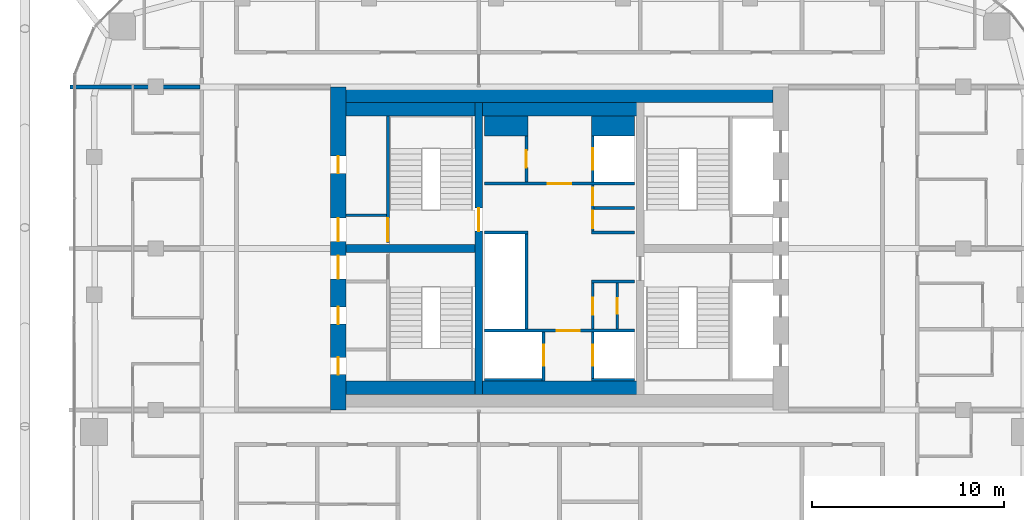
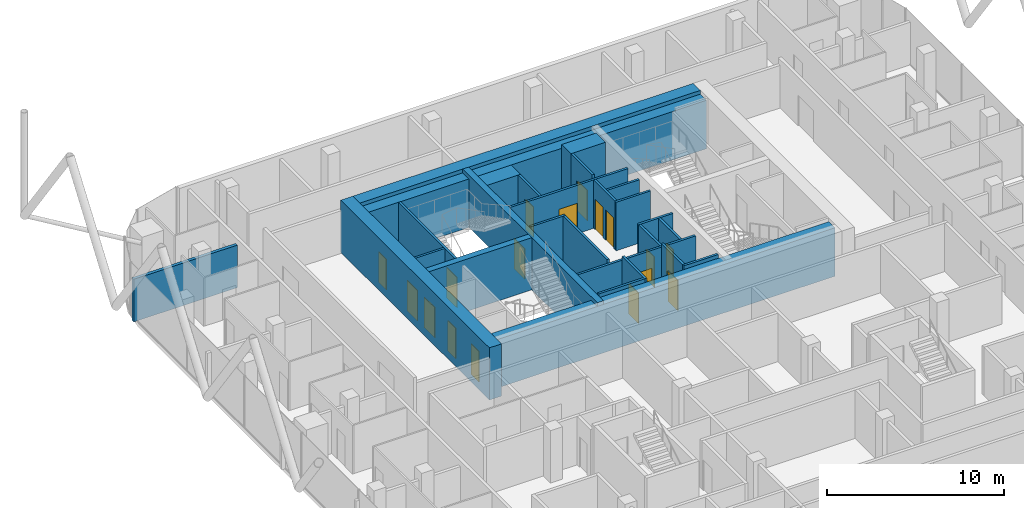
# One storey, part 24 of 28: 27 walls, 17 doors, 17 openings.
"""IFC4 building model written with IfcOpenShell, lengths in metres."""

from ifc_helpers import new_model, si_unit, direction, frame, frame_2d, origin, place, context, subcontext, project, spatial, rectangle, extrude, material, layer, layer_set, type_object, element, fill, save


model = new_model("IFC4")

# Units and contexts
model_context = context("Model", 3, precision=1e-05, world=origin(), true_north=direction((0.0, 1.0)))
body_context = subcontext(model_context, "Body", "Model", "MODEL_VIEW")
ifc_project = project(units=[si_unit("LENGTHUNIT", "METRE"), si_unit("AREAUNIT", "SQUARE_METRE"), si_unit("VOLUMEUNIT", "CUBIC_METRE"), si_unit("PLANEANGLEUNIT", "RADIAN"), si_unit("MASSUNIT", "GRAM", prefix="KILO")], contexts=[model_context])

# Site, building, storey
site_placement = place(None, origin())
site = spatial("IfcSite", under=ifc_project, at=site_placement, CompositionType="ELEMENT")
building_placement = place(site_placement, origin())
building = spatial("IfcBuilding", under=site, at=building_placement, Name="Marenta Gate Hotel Tower", CompositionType="ELEMENT")
storey_placement = place(building_placement, frame((0.0, 0.0, 241.699951171875)))
storey = spatial("IfcBuildingStorey", under=building, at=storey_placement, Name="L57", CompositionType="ELEMENT", Elevation=241.699951171875)

# Walls
ifc_material_1 = material(Name="Concrete C40", Category="concrete")
ifc_layer_1 = layer(ifc_material_1, 0.699951171875)
ifc_layer_set_1 = layer_set([ifc_layer_1], Name="Concrete C40")
wall_type_1 = type_object("IfcWallType", Name="Core lining wall 700 REI 180", PredefinedType="PARTITIONING", material=ifc_layer_set_1)
for number, where, z_axis, x_axis, name in (
    (1, (-11.10009765625, 1.14990234375, 0.0), (0.0, 0.0, 1.0), (1.0, 0.0, 0.0), "L57-CP-LN-S"),
    (2, (-11.10009765625, 15.64990234375, 0.0), (0.0, 0.0, 1.0), (1.0, 0.0, 0.0), "L57-CP-LN-N"),
):
    element("IfcWall", number, at=place(storey_placement, frame(where, z_axis=z_axis, x_axis=x_axis)), inside=storey, type_object=wall_type_1, Name=name, PredefinedType="PARTITIONING", context=body_context, shape_type="SweptSolid", body=[
        extrude(rectangle(XDim=22.2001953125, YDim=0.699951171875, at=frame_2d((11.10009765625, 0.0))), origin(), (0.0, 0.0, 1.0), 3.340087890625),
    ])

# Wall, opening, door
ifc_material_2 = material(Name="Concrete blockwork", Category="masonry")
ifc_layer_2 = layer(ifc_material_2, 0.14990234375)
ifc_layer_set_2 = layer_set([ifc_layer_2], Name="Concrete blockwork")
wall_type_2 = type_object("IfcWallType", Name="Core lobby partition 150 REI 180", PredefinedType="PARTITIONING", material=ifc_layer_set_2)
wall_1_placement = place(storey_placement, frame((-3.89990234375, 4.125, 0.0), z_axis=(0.0, 0.0, 1.0), x_axis=(1.0, 0.0, 0.0)))
wall_1 = element("IfcWall", 3, at=wall_1_placement, inside=storey, type_object=wall_type_2, Name="L57-CP-CW-S", PredefinedType="PARTITIONING", context=body_context, shape_type="SweptSolid", body=[
    extrude(rectangle(XDim=7.7998046875, YDim=0.14990234375, at=frame_2d((3.89990234375, 0.0))), origin(), (0.0, 0.0, 1.0), 3.340087890625),
])
opening_1_placement = place(wall_1_placement, frame((3.75, 0.0, 0.0)))
opening_1 = element("IfcOpeningElement", 4, at=opening_1_placement, cuts=wall_1, Name="Opening FD-FFS", PredefinedType="OPENING", context=body_context, shape_type="SweptSolid", body=[
    extrude(rectangle(XDim=1.199951171875, YDim=2.10009765625, at=frame_2d((0.60009765625, 1.050048828125))), frame((0.0, 0.074951171875, 0.0), z_axis=(0.0, -1.0, 0.0), x_axis=(1.0, 0.0, 0.0)), (0.0, 0.0, 1.0), 0.14990234375),
])
ifc_material_3 = material(Name="Steel", Category="steel")
door_type_1 = type_object("IfcDoorType", Name="Core lobby door 1200x2100 FD60", OperationType="SINGLE_SWING_LEFT", PredefinedType="DOOR", material=ifc_material_3)
door_1_placement = place(opening_1_placement, origin())
door_1 = element("IfcDoor", 5, at=door_1_placement, inside=storey, type_object=door_type_1, Name="FD-FFS", OperationType="SINGLE_SWING_LEFT", OverallHeight=2.10009765625, OverallWidth=1.199951171875, PredefinedType="DOOR", context=body_context, shape_type="SweptSolid", body=[
    extrude(rectangle(XDim=1.199951171875, YDim=2.10009765625, at=frame_2d((0.60009765625, 1.050048828125))), frame((0.0, 0.02490234375, 0.0), z_axis=(0.0, -1.0, 0.0), x_axis=(1.0, 0.0, 0.0)), (0.0, 0.0, 1.0), 0.050048828125),
])
fill(opening_1, door_1)

wall_2_placement = place(storey_placement, frame((-3.89990234375, 11.77490234375, 0.0), z_axis=(0.0, 0.0, 1.0), x_axis=(1.0, 0.0, 0.0)))
wall_2 = element("IfcWall", 6, at=wall_2_placement, inside=storey, type_object=wall_type_2, Name="L57-CP-CW-N", PredefinedType="PARTITIONING", context=body_context, shape_type="SweptSolid", body=[
    extrude(rectangle(XDim=7.7998046875, YDim=0.14990234375, at=frame_2d((3.89990234375, 0.0))), origin(), (0.0, 0.0, 1.0), 3.340087890625),
])
opening_2_placement = place(wall_2_placement, frame((3.300048828125, 0.0, 0.0)))
opening_2 = element("IfcOpeningElement", 7, at=opening_2_placement, cuts=wall_2, Name="Opening FD-FFN", PredefinedType="OPENING", context=body_context, shape_type="SweptSolid", body=[
    extrude(rectangle(XDim=1.199951171875, YDim=2.10009765625, at=frame_2d((0.60009765625, 1.050048828125))), frame((0.0, 0.074951171875, 0.0), z_axis=(0.0, -1.0, 0.0), x_axis=(1.0, 0.0, 0.0)), (0.0, 0.0, 1.0), 0.14990234375),
])
door_2_placement = place(opening_2_placement, origin())
door_2 = element("IfcDoor", 8, at=door_2_placement, inside=storey, type_object=door_type_1, Name="FD-FFN", OperationType="SINGLE_SWING_LEFT", OverallHeight=2.10009765625, OverallWidth=1.199951171875, PredefinedType="DOOR", context=body_context, shape_type="SweptSolid", body=[
    extrude(rectangle(XDim=1.199951171875, YDim=2.10009765625, at=frame_2d((0.60009765625, 1.050048828125))), frame((0.0, 0.02490234375, 0.0), z_axis=(0.0, -1.0, 0.0), x_axis=(1.0, 0.0, 0.0)), (0.0, 0.0, 1.0), 0.050048828125),
])
fill(opening_2, door_2)

# Walls
ifc_material_4 = material(Name="Concrete blockwork", Category="masonry")
ifc_layer_3 = layer(ifc_material_4, 1.050048828125)
ifc_layer_set_3 = layer_set([ifc_layer_3], Name="Concrete blockwork")
wall_type_3 = type_object("IfcWallType", Name="Core room partition 1050 REI 180", PredefinedType="PARTITIONING", material=ifc_layer_set_3)
wall_3_placement = place(storey_placement, frame((-3.89990234375, 14.77490234375, 0.0), z_axis=(0.0, 0.0, 1.0), x_axis=(1.0, 0.0, 0.0)))
element("IfcWall", 9, at=wall_3_placement, inside=storey, type_object=wall_type_3, Name="L57-CP-CW-W-riser-N", PredefinedType="PARTITIONING", context=body_context, shape_type="SweptSolid", body=[
    extrude(rectangle(XDim=2.25, YDim=1.050048828125, at=frame_2d((1.125, 0.0))), origin(), (0.0, 0.0, 1.0), 3.340087890625),
])
ifc_material_5 = material(Name="Concrete blockwork", Category="masonry")
ifc_layer_4 = layer(ifc_material_5, 0.14990234375)
ifc_layer_set_4 = layer_set([ifc_layer_4], Name="Concrete blockwork")
wall_type_4 = type_object("IfcWallType", Name="Core room partition 150 REI 180", PredefinedType="PARTITIONING", material=ifc_layer_set_4)
wall_4_placement = place(storey_placement, frame((-11.10009765625, 10.125, 0.0), z_axis=(0.0, 0.0, 1.0), x_axis=(1.0, 0.0, 0.0)))
element("IfcWall", 10, at=wall_4_placement, inside=storey, type_object=wall_type_4, Name="L57-CP-SW-WN-2", PredefinedType="PARTITIONING", context=body_context, shape_type="SweptSolid", body=[
    extrude(rectangle(XDim=2.10009765625, YDim=0.14990234375, at=frame_2d((1.050048828125, 0.0))), origin(), (0.0, 0.0, 1.0), 3.340087890625),
])

# Wall, opening, door
wall_5_placement = place(storey_placement, frame((-1.72509765625, 11.85009765625, 0.0), z_axis=(0.0, 0.0, 1.0), x_axis=(0.0, 1.0, 0.0)))
wall_5 = element("IfcWall", 11, at=wall_5_placement, inside=storey, type_object=wall_type_4, Name="L57-CP-CW-W-riser-front", PredefinedType="PARTITIONING", context=body_context, shape_type="SweptSolid", body=[
    extrude(rectangle(XDim=2.39990234375, YDim=0.14990234375, at=frame_2d((1.199951171875, 0.0))), origin(), (0.0, 0.0, 1.0), 3.340087890625),
])
opening_3_placement = place(wall_5_placement, frame((0.75, 0.0, 0.0)))
opening_3 = element("IfcOpeningElement", 12, at=opening_3_placement, cuts=wall_5, Name="Opening RD-CRISER", PredefinedType="OPENING", context=body_context, shape_type="SweptSolid", body=[
    extrude(rectangle(XDim=0.89990234375, YDim=2.10009765625, at=frame_2d((0.449951171875, 1.050048828125))), frame((0.0, 0.074951171875, 0.0), z_axis=(0.0, -1.0, 0.0), x_axis=(1.0, 0.0, 0.0)), (0.0, 0.0, 1.0), 0.14990234375),
])
ifc_material_6 = material(Name="Steel", Category="steel")
door_type_2 = type_object("IfcDoorType", Name="Core riser door 900x2100 FD60", OperationType="SINGLE_SWING_LEFT", PredefinedType="DOOR", material=ifc_material_6)
door_3_placement = place(opening_3_placement, origin())
door_3 = element("IfcDoor", 13, at=door_3_placement, inside=storey, type_object=door_type_2, Name="RD-CRISER", OperationType="SINGLE_SWING_LEFT", OverallHeight=2.10009765625, OverallWidth=0.89990234375, PredefinedType="DOOR", context=body_context, shape_type="SweptSolid", body=[
    extrude(rectangle(XDim=0.89990234375, YDim=2.10009765625, at=frame_2d((0.449951171875, 1.050048828125))), frame((0.0, 0.02490234375, 0.0), z_axis=(0.0, -1.0, 0.0), x_axis=(1.0, 0.0, 0.0)), (0.0, 0.0, 1.0), 0.050048828125),
])
fill(opening_3, door_3)

# Walls
for number, where, z_axis, x_axis, name in (
    (14, (1.64990234375, 6.675048828125, 0.0), (0.0, 0.0, 1.0), (1.0, 0.0, 0.0), "L57-CP-CE-sep1"),
    (15, (1.64990234375, 9.22509765625, 0.0), (0.0, 0.0, 1.0), (1.0, 0.0, 0.0), "L57-CP-CE-sep2"),
):
    element("IfcWall", number, at=place(storey_placement, frame(where, z_axis=z_axis, x_axis=x_axis)), inside=storey, type_object=wall_type_4, Name=name, PredefinedType="PARTITIONING", context=body_context, shape_type="SweptSolid", body=[
        extrude(rectangle(XDim=2.25, YDim=0.14990234375, at=frame_2d((1.125, 0.0))), origin(), (0.0, 0.0, 1.0), 3.340087890625),
    ])

# Wall, opening, door
wall_6_placement = place(storey_placement, frame((1.72509765625, 4.199951171875, 0.0), z_axis=(0.0, 0.0, 1.0), x_axis=(0.0, 1.0, 0.0)))
wall_6 = element("IfcWall", 16, at=wall_6_placement, inside=storey, type_object=wall_type_4, Name="L57-CP-CE-front-1", PredefinedType="PARTITIONING", context=body_context, shape_type="SweptSolid", body=[
    extrude(rectangle(XDim=2.400146484375, YDim=0.14990234375, at=frame_2d((1.2001953125, 0.0))), origin(), (0.0, 0.0, 1.0), 3.340087890625),
])
opening_4_placement = place(wall_6_placement, frame((0.75, 0.0, 0.0)))
opening_4 = element("IfcOpeningElement", 17, at=opening_4_placement, cuts=wall_6, Name="Opening RD-CE-1a", PredefinedType="OPENING", context=body_context, shape_type="SweptSolid", body=[
    extrude(rectangle(XDim=0.89990234375, YDim=2.10009765625, at=frame_2d((0.449951171875, 1.050048828125))), frame((0.0, 0.074951171875, 0.0), z_axis=(0.0, -1.0, 0.0), x_axis=(1.0, 0.0, 0.0)), (0.0, 0.0, 1.0), 0.14990234375),
])
ifc_material_7 = material(Name="Steel", Category="steel")
door_type_3 = type_object("IfcDoorType", Name="Core service room door 900x2100 FD30S", OperationType="SINGLE_SWING_LEFT", PredefinedType="DOOR", material=ifc_material_7)
door_4_placement = place(opening_4_placement, origin())
door_4 = element("IfcDoor", 18, at=door_4_placement, inside=storey, type_object=door_type_3, Name="RD-CE-1a", OperationType="SINGLE_SWING_LEFT", OverallHeight=2.10009765625, OverallWidth=0.89990234375, PredefinedType="DOOR", context=body_context, shape_type="SweptSolid", body=[
    extrude(rectangle(XDim=0.89990234375, YDim=2.10009765625, at=frame_2d((0.449951171875, 1.050048828125))), frame((0.0, 0.02490234375, 0.0), z_axis=(0.0, -1.0, 0.0), x_axis=(1.0, 0.0, 0.0)), (0.0, 0.0, 1.0), 0.050048828125),
])
fill(opening_4, door_4)

# Wall, openings, doors
wall_7_placement = place(storey_placement, frame((1.72509765625, 9.300048828125, 0.0), z_axis=(0.0, 0.0, 1.0), x_axis=(0.0, 1.0, 0.0)))
wall_7 = element("IfcWall", 19, at=wall_7_placement, inside=storey, type_object=wall_type_4, Name="L57-CP-CE-front-2", PredefinedType="PARTITIONING", context=body_context, shape_type="SweptSolid", body=[
    extrude(rectangle(XDim=2.39990234375, YDim=0.14990234375, at=frame_2d((1.199951171875, 0.0))), origin(), (0.0, 0.0, 1.0), 3.340087890625),
])
opening_5_placement = place(wall_7_placement, frame((0.14990234375, 0.0, 0.0)))
opening_5 = element("IfcOpeningElement", 20, at=opening_5_placement, cuts=wall_7, Name="Opening RD-CE-2a", PredefinedType="OPENING", context=body_context, shape_type="SweptSolid", body=[
    extrude(rectangle(XDim=0.89990234375, YDim=2.10009765625, at=frame_2d((0.449951171875, 1.050048828125))), frame((0.0, 0.074951171875, 0.0), z_axis=(0.0, -1.0, 0.0), x_axis=(1.0, 0.0, 0.0)), (0.0, 0.0, 1.0), 0.14990234375),
])
opening_6_placement = place(wall_7_placement, frame((1.35009765625, 0.0, 0.0)))
opening_6 = element("IfcOpeningElement", 21, at=opening_6_placement, cuts=wall_7, Name="Opening RD-CE-2b-B", PredefinedType="OPENING", context=body_context, shape_type="SweptSolid", body=[
    extrude(rectangle(XDim=0.89990234375, YDim=2.10009765625, at=frame_2d((0.449951171875, 1.050048828125))), frame((0.0, 0.074951171875, 0.0), z_axis=(0.0, -1.0, 0.0), x_axis=(1.0, 0.0, 0.0)), (0.0, 0.0, 1.0), 0.14990234375),
])
door_5_placement = place(opening_5_placement, origin())
door_5 = element("IfcDoor", 22, at=door_5_placement, inside=storey, type_object=door_type_3, Name="RD-CE-2a", OperationType="SINGLE_SWING_LEFT", OverallHeight=2.10009765625, OverallWidth=0.89990234375, PredefinedType="DOOR", context=body_context, shape_type="SweptSolid", body=[
    extrude(rectangle(XDim=0.89990234375, YDim=2.10009765625, at=frame_2d((0.449951171875, 1.050048828125))), frame((0.0, 0.02490234375, 0.0), z_axis=(0.0, -1.0, 0.0), x_axis=(1.0, 0.0, 0.0)), (0.0, 0.0, 1.0), 0.050048828125),
])
fill(opening_5, door_5)
door_6_placement = place(opening_6_placement, origin())
door_6 = element("IfcDoor", 23, at=door_6_placement, inside=storey, type_object=door_type_3, Name="RD-CE-2b-B", OperationType="SINGLE_SWING_LEFT", OverallHeight=2.10009765625, OverallWidth=0.89990234375, PredefinedType="DOOR", context=body_context, shape_type="SweptSolid", body=[
    extrude(rectangle(XDim=0.89990234375, YDim=2.10009765625, at=frame_2d((0.449951171875, 1.050048828125))), frame((0.0, 0.02490234375, 0.0), z_axis=(0.0, -1.0, 0.0), x_axis=(1.0, 0.0, 0.0)), (0.0, 0.0, 1.0), 0.050048828125),
])
fill(opening_6, door_6)

# Wall, opening, door
wall_8_placement = place(storey_placement, frame((3.0, 4.199951171875, 0.0), z_axis=(0.0, 0.0, 1.0), x_axis=(0.0, 1.0, 0.0)))
wall_8 = element("IfcWall", 24, at=wall_8_placement, inside=storey, type_object=wall_type_4, Name="L57-CP-CE-RW-1", PredefinedType="PARTITIONING", context=body_context, shape_type="SweptSolid", body=[
    extrude(rectangle(XDim=2.400146484375, YDim=0.14990234375, at=frame_2d((1.2001953125, 0.0))), origin(), (0.0, 0.0, 1.0), 3.340087890625),
])
opening_7_placement = place(wall_8_placement, frame((0.800048828125, 0.0, 0.0)))
opening_7 = element("IfcOpeningElement", 25, at=opening_7_placement, cuts=wall_8, Name="Opening RD-CE-1b-A", PredefinedType="OPENING", context=body_context, shape_type="SweptSolid", body=[
    extrude(rectangle(XDim=0.800048828125, YDim=2.10009765625, at=frame_2d((0.39990234375, 1.050048828125))), frame((0.0, 0.074951171875, 0.0), z_axis=(0.0, -1.0, 0.0), x_axis=(1.0, 0.0, 0.0)), (0.0, 0.0, 1.0), 0.14990234375),
])
ifc_material_8 = material(Name="Steel", Category="steel")
door_type_4 = type_object("IfcDoorType", Name="Core riser door 800x2100 FD60", OperationType="SINGLE_SWING_LEFT", PredefinedType="DOOR", material=ifc_material_8)
door_7_placement = place(opening_7_placement, origin())
door_7 = element("IfcDoor", 26, at=door_7_placement, inside=storey, type_object=door_type_4, Name="RD-CE-1b-A", OperationType="SINGLE_SWING_LEFT", OverallHeight=2.10009765625, OverallWidth=0.800048828125, PredefinedType="DOOR", context=body_context, shape_type="SweptSolid", body=[
    extrude(rectangle(XDim=0.800048828125, YDim=2.10009765625, at=frame_2d((0.39990234375, 1.050048828125))), frame((0.0, 0.02490234375, 0.0), z_axis=(0.0, -1.0, 0.0), x_axis=(1.0, 0.0, 0.0)), (0.0, 0.0, 1.0), 0.050048828125),
])
fill(opening_7, door_7)

# Walls
wall_9_placement = place(storey_placement, frame((1.800048828125, 10.5, 0.0), z_axis=(0.0, 0.0, 1.0), x_axis=(1.0, 0.0, 0.0)))
element("IfcWall", 27, at=wall_9_placement, inside=storey, type_object=wall_type_4, Name="L57-CP-CE-RW-2", PredefinedType="PARTITIONING", context=body_context, shape_type="SweptSolid", body=[
    extrude(rectangle(XDim=2.099853515625, YDim=0.14990234375, at=frame_2d((1.0498046875, 0.0))), origin(), (0.0, 0.0, 1.0), 3.340087890625),
])
ifc_material_9 = material(Name="Concrete C40", Category="concrete")
ifc_layer_5 = layer(ifc_material_9, 1.050048828125)
ifc_layer_set_5 = layer_set([ifc_layer_5], Name="Concrete C40")
wall_type_5 = type_object("IfcWallType", Name="Core shaft wall 1050 REI 180", PredefinedType="SHEAR", material=ifc_layer_set_5)
wall_10_placement = place(storey_placement, frame((1.64990234375, 14.77490234375, 0.0), z_axis=(0.0, 0.0, 1.0), x_axis=(1.0, 0.0, 0.0)))
element("IfcWall", 28, at=wall_10_placement, inside=storey, type_object=wall_type_5, Name="L57-SHF-CE-N-top", PredefinedType="SHEAR", context=body_context, shape_type="SweptSolid", body=[
    extrude(rectangle(XDim=2.25, YDim=1.050048828125, at=frame_2d((1.125, 0.0))), origin(), (0.0, 0.0, 1.0), 3.60009765625),
])

# Wall, opening, door
ifc_material_10 = material(Name="Concrete C40", Category="concrete")
ifc_layer_6 = layer(ifc_material_10, 0.14990234375)
ifc_layer_set_6 = layer_set([ifc_layer_6], Name="Concrete C40")
wall_type_6 = type_object("IfcWallType", Name="Core shaft wall 150 REI 180", PredefinedType="SHEAR", material=ifc_layer_set_6)
wall_11_placement = place(storey_placement, frame((-0.824951171875, 1.5, 0.0), z_axis=(0.0, 0.0, 1.0), x_axis=(0.0, 1.0, 0.0)))
wall_11 = element("IfcWall", 29, at=wall_11_placement, inside=storey, type_object=wall_type_6, Name="L57-SHF-CW-W-ff", PredefinedType="SHEAR", context=body_context, shape_type="SweptSolid", body=[
    extrude(rectangle(XDim=2.550048828125, YDim=0.14990234375, at=frame_2d((1.27490234375, 0.0))), origin(), (0.0, 0.0, 1.0), 3.60009765625),
])
opening_8_placement = place(wall_11_placement, frame((0.800048828125, 0.0, 0.0)))
opening_8 = element("IfcOpeningElement", 30, at=opening_8_placement, cuts=wall_11, Name="Opening LD-FF1", PredefinedType="OPENING", context=body_context, shape_type="SweptSolid", body=[
    extrude(rectangle(XDim=1.10009765625, YDim=2.10009765625, at=frame_2d((0.550048828125, 1.050048828125))), frame((0.0, 0.074951171875, 0.0), z_axis=(0.0, -1.0, 0.0), x_axis=(1.0, 0.0, 0.0)), (0.0, 0.0, 1.0), 0.14990234375),
])
ifc_material_11 = material(Name="Steel", Category="steel")
door_type_5 = type_object("IfcDoorType", Name="Core lift landing door 1100x2100 E 60", OperationType="SLIDING_TO_LEFT", PredefinedType="DOOR", material=ifc_material_11)
door_8_placement = place(opening_8_placement, origin())
door_8 = element("IfcDoor", 31, at=door_8_placement, inside=storey, type_object=door_type_5, Name="LD-FF1", OperationType="SLIDING_TO_LEFT", OverallHeight=2.10009765625, OverallWidth=1.10009765625, PredefinedType="DOOR", context=body_context, shape_type="SweptSolid", body=[
    extrude(rectangle(XDim=1.10009765625, YDim=2.10009765625, at=frame_2d((0.550048828125, 1.050048828125))), frame((0.0, 0.02490234375, 0.0), z_axis=(0.0, -1.0, 0.0), x_axis=(1.0, 0.0, 0.0)), (0.0, 0.0, 1.0), 0.050048828125),
])
fill(opening_8, door_8)

# Walls
wall_12_placement = place(storey_placement, frame((-3.89990234375, 1.574951171875, 0.0), z_axis=(0.0, 0.0, 1.0), x_axis=(1.0, 0.0, 0.0)))
element("IfcWall", 32, at=wall_12_placement, inside=storey, type_object=wall_type_6, Name="L57-SHF-CW-W-ffs", PredefinedType="SHEAR", context=body_context, shape_type="SweptSolid", body=[
    extrude(rectangle(XDim=3.0, YDim=0.14990234375, at=frame_2d((1.5, 0.0))), origin(), (0.0, 0.0, 1.0), 3.60009765625),
])
wall_13_placement = place(storey_placement, frame((-1.72509765625, 4.199951171875, 0.0), z_axis=(0.0, 0.0, 1.0), x_axis=(0.0, 1.0, 0.0)))
element("IfcWall", 33, at=wall_13_placement, inside=storey, type_object=wall_type_6, Name="L57-SHF-CW-W-front", PredefinedType="SHEAR", context=body_context, shape_type="SweptSolid", body=[
    extrude(rectangle(XDim=4.949951171875, YDim=0.14990234375, at=frame_2d((2.47509765625, 0.0))), origin(), (0.0, 0.0, 1.0), 3.60009765625),
])
wall_14_placement = place(storey_placement, frame((-3.89990234375, 9.22509765625, 0.0), z_axis=(0.0, 0.0, 1.0), x_axis=(1.0, 0.0, 0.0)))
element("IfcWall", 34, at=wall_14_placement, inside=storey, type_object=wall_type_6, Name="L57-SHF-CW-W-sep", PredefinedType="SHEAR", context=body_context, shape_type="SweptSolid", body=[
    extrude(rectangle(XDim=2.25, YDim=0.14990234375, at=frame_2d((1.125, 0.0))), origin(), (0.0, 0.0, 1.0), 3.60009765625),
])

# Wall, opening, door
wall_15_placement = place(storey_placement, frame((1.72509765625, 1.64990234375, 0.0), z_axis=(0.0, 0.0, 1.0), x_axis=(0.0, 1.0, 0.0)))
wall_15 = element("IfcWall", 35, at=wall_15_placement, inside=storey, type_object=wall_type_6, Name="L57-SHF-CE-S-ls", PredefinedType="SHEAR", context=body_context, shape_type="SweptSolid", body=[
    extrude(rectangle(XDim=2.400146484375, YDim=0.14990234375, at=frame_2d((1.2001953125, 0.0))), origin(), (0.0, 0.0, 1.0), 3.60009765625),
])
opening_9_placement = place(wall_15_placement, frame((0.64990234375, 0.0, 0.0)))
opening_9 = element("IfcOpeningElement", 36, at=opening_9_placement, cuts=wall_15, Name="Opening LD-SV1", PredefinedType="OPENING", context=body_context, shape_type="SweptSolid", body=[
    extrude(rectangle(XDim=1.10009765625, YDim=2.10009765625, at=frame_2d((0.550048828125, 1.050048828125))), frame((0.0, 0.074951171875, 0.0), z_axis=(0.0, -1.0, 0.0), x_axis=(1.0, 0.0, 0.0)), (0.0, 0.0, 1.0), 0.14990234375),
])
door_9_placement = place(opening_9_placement, origin())
door_9 = element("IfcDoor", 37, at=door_9_placement, inside=storey, type_object=door_type_5, Name="LD-SV1", OperationType="SLIDING_TO_LEFT", OverallHeight=2.10009765625, OverallWidth=1.10009765625, PredefinedType="DOOR", context=body_context, shape_type="SweptSolid", body=[
    extrude(rectangle(XDim=1.10009765625, YDim=2.10009765625, at=frame_2d((0.550048828125, 1.050048828125))), frame((0.0, 0.02490234375, 0.0), z_axis=(0.0, -1.0, 0.0), x_axis=(1.0, 0.0, 0.0)), (0.0, 0.0, 1.0), 0.050048828125),
])
fill(opening_9, door_9)

# Wall
wall_16_placement = place(storey_placement, frame((1.64990234375, 1.574951171875, 0.0), z_axis=(0.0, 0.0, 1.0), x_axis=(1.0, 0.0, 0.0)))
element("IfcWall", 38, at=wall_16_placement, inside=storey, type_object=wall_type_6, Name="L57-SHF-CE-S-bot", PredefinedType="SHEAR", context=body_context, shape_type="SweptSolid", body=[
    extrude(rectangle(XDim=2.25, YDim=0.14990234375, at=frame_2d((1.125, 0.0))), origin(), (0.0, 0.0, 1.0), 3.60009765625),
])

# Wall, opening, door
wall_17_placement = place(storey_placement, frame((1.72509765625, 11.85009765625, 0.0), z_axis=(0.0, 0.0, 1.0), x_axis=(0.0, 1.0, 0.0)))
wall_17 = element("IfcWall", 39, at=wall_17_placement, inside=storey, type_object=wall_type_6, Name="L57-SHF-CE-N-front2", PredefinedType="SHEAR", context=body_context, shape_type="SweptSolid", body=[
    extrude(rectangle(XDim=2.39990234375, YDim=0.14990234375, at=frame_2d((1.199951171875, 0.0))), origin(), (0.0, 0.0, 1.0), 3.60009765625),
])
opening_10_placement = place(wall_17_placement, frame((0.64990234375, 0.0, 0.0)))
opening_10 = element("IfcOpeningElement", 40, at=opening_10_placement, cuts=wall_17, Name="Opening LD-FF2", PredefinedType="OPENING", context=body_context, shape_type="SweptSolid", body=[
    extrude(rectangle(XDim=1.10009765625, YDim=2.10009765625, at=frame_2d((0.550048828125, 1.050048828125))), frame((0.0, 0.074951171875, 0.0), z_axis=(0.0, -1.0, 0.0), x_axis=(1.0, 0.0, 0.0)), (0.0, 0.0, 1.0), 0.14990234375),
])
door_10_placement = place(opening_10_placement, origin())
door_10 = element("IfcDoor", 41, at=door_10_placement, inside=storey, type_object=door_type_5, Name="LD-FF2", OperationType="SLIDING_TO_LEFT", OverallHeight=2.10009765625, OverallWidth=1.10009765625, PredefinedType="DOOR", context=body_context, shape_type="SweptSolid", body=[
    extrude(rectangle(XDim=1.10009765625, YDim=2.10009765625, at=frame_2d((0.550048828125, 1.050048828125))), frame((0.0, 0.02490234375, 0.0), z_axis=(0.0, -1.0, 0.0), x_axis=(1.0, 0.0, 0.0)), (0.0, 0.0, 1.0), 0.050048828125),
])
fill(opening_10, door_10)

ifc_material_12 = material(Name="Concrete C40", Category="concrete")
ifc_layer_7 = layer(ifc_material_12, 0.14990234375)
ifc_layer_set_7 = layer_set([ifc_layer_7], Name="Concrete C40")
wall_type_7 = type_object("IfcWallType", Name="Core stair enclosure wall 150 REI 180", PredefinedType="SHEAR", material=ifc_layer_set_7)
wall_18_placement = place(storey_placement, frame((-8.925048828125, 8.699951171875, 0.0), z_axis=(0.0, 0.0, 1.0), x_axis=(0.0, 1.0, 0.0)))
wall_18 = element("IfcWall", 42, at=wall_18_placement, inside=storey, type_object=wall_type_7, Name="L57-SHF-SW-WN-3", PredefinedType="SHEAR", context=body_context, shape_type="SweptSolid", body=[
    extrude(rectangle(XDim=6.60009765625, YDim=0.14990234375, at=frame_2d((3.300048828125, 0.0))), origin(), (0.0, 0.0, 1.0), 3.340087890625),
])
opening_11_placement = place(wall_18_placement, frame((0.074951171875, 0.0, 0.0)))
opening_11 = element("IfcOpeningElement", 43, at=opening_11_placement, cuts=wall_18, Name="Opening SD-WN", PredefinedType="OPENING", context=body_context, shape_type="SweptSolid", body=[
    extrude(rectangle(XDim=1.199951171875, YDim=2.10009765625, at=frame_2d((0.60009765625, 1.050048828125))), frame((0.0, 0.074951171875, 0.0), z_axis=(0.0, -1.0, 0.0), x_axis=(1.0, 0.0, 0.0)), (0.0, 0.0, 1.0), 0.14990234375),
])
ifc_material_13 = material(Name="Steel", Category="steel")
door_type_6 = type_object("IfcDoorType", Name="Core stair door 1200x2100 FD60", OperationType="SINGLE_SWING_LEFT", PredefinedType="DOOR", material=ifc_material_13)
door_11_placement = place(opening_11_placement, origin())
door_11 = element("IfcDoor", 44, at=door_11_placement, inside=storey, type_object=door_type_6, Name="SD-WN", OperationType="SINGLE_SWING_LEFT", OverallHeight=2.10009765625, OverallWidth=1.199951171875, PredefinedType="DOOR", context=body_context, shape_type="SweptSolid", body=[
    extrude(rectangle(XDim=1.199951171875, YDim=2.10009765625, at=frame_2d((0.60009765625, 1.050048828125))), frame((0.0, 0.02490234375, 0.0), z_axis=(0.0, -1.0, 0.0), x_axis=(1.0, 0.0, 0.0)), (0.0, 0.0, 1.0), 0.050048828125),
])
fill(opening_11, door_11)

# Wall, openings, doors
ifc_material_14 = material(Name="Concrete C60", Category="concrete")
ifc_layer_8 = layer(ifc_material_14, 0.800048828125)
ifc_layer_set_8 = layer_set([ifc_layer_8], Name="Concrete C60")
wall_type_8 = type_object("IfcWallType", Name="Core wall 800 C60", PredefinedType="SHEAR", material=ifc_layer_set_8)
wall_19_placement = place(storey_placement, frame((-11.5, 0.0, 0.0), z_axis=(0.0, 0.0, 1.0), x_axis=(0.0, 1.0, 0.0)))
wall_19 = element("IfcWall", 45, at=wall_19_placement, inside=storey, type_object=wall_type_8, Name="L57-CORE-W", PredefinedType="SHEAR", context=body_context, shape_type="SweptSolid", body=[
    extrude(rectangle(XDim=16.800048828125, YDim=0.800048828125, at=frame_2d((8.39990234375, 0.0))), origin(), (0.0, 0.0, 1.0), 3.60009765625),
])
opening_12_placement = place(wall_19_placement, frame((1.83740234375, 0.0, 0.0)))
opening_12 = element("IfcOpeningElement", 46, at=opening_12_placement, cuts=wall_19, Name="Opening RD-WS-1", PredefinedType="OPENING", context=body_context, shape_type="SweptSolid", body=[
    extrude(rectangle(XDim=0.89990234375, YDim=2.10009765625, at=frame_2d((0.449951171875, 1.050048828125))), frame((0.0, 0.39990234375, 0.0), z_axis=(0.0, -1.0, 0.0), x_axis=(1.0, 0.0, 0.0)), (0.0, 0.0, 1.0), 0.800048828125),
])
opening_13_placement = place(wall_19_placement, frame((4.46240234375, 0.0, 0.0)))
opening_13 = element("IfcOpeningElement", 47, at=opening_13_placement, cuts=wall_19, Name="Opening RD-WS-2", PredefinedType="OPENING", context=body_context, shape_type="SweptSolid", body=[
    extrude(rectangle(XDim=0.89990234375, YDim=2.10009765625, at=frame_2d((0.449951171875, 1.050048828125))), frame((0.0, 0.39990234375, 0.0), z_axis=(0.0, -1.0, 0.0), x_axis=(1.0, 0.0, 0.0)), (0.0, 0.0, 1.0), 0.800048828125),
])
opening_14_placement = place(wall_19_placement, frame((6.824951171875, 0.0, 0.0)))
opening_14 = element("IfcOpeningElement", 48, at=opening_14_placement, cuts=wall_19, Name="Opening PD-WS", PredefinedType="OPENING", context=body_context, shape_type="SweptSolid", body=[
    extrude(rectangle(XDim=1.199951171875, YDim=2.10009765625, at=frame_2d((0.60009765625, 1.050048828125))), frame((0.0, 0.39990234375, 0.0), z_axis=(0.0, -1.0, 0.0), x_axis=(1.0, 0.0, 0.0)), (0.0, 0.0, 1.0), 0.800048828125),
])
opening_15_placement = place(wall_19_placement, frame((12.300048828125, 0.0, 0.0)))
opening_15 = element("IfcOpeningElement", 49, at=opening_15_placement, cuts=wall_19, Name="Opening RD-WN-1", PredefinedType="OPENING", context=body_context, shape_type="SweptSolid", body=[
    extrude(rectangle(XDim=0.89990234375, YDim=2.10009765625, at=frame_2d((0.449951171875, 1.050048828125))), frame((0.0, 0.39990234375, 0.0), z_axis=(0.0, -1.0, 0.0), x_axis=(1.0, 0.0, 0.0)), (0.0, 0.0, 1.0), 0.800048828125),
])
opening_16_placement = place(wall_19_placement, frame((8.77490234375, 0.0, 0.0)))
opening_16 = element("IfcOpeningElement", 50, at=opening_16_placement, cuts=wall_19, Name="Opening PD-WN", PredefinedType="OPENING", context=body_context, shape_type="SweptSolid", body=[
    extrude(rectangle(XDim=1.199951171875, YDim=2.10009765625, at=frame_2d((0.60009765625, 1.050048828125))), frame((0.0, 0.39990234375, 0.0), z_axis=(0.0, -1.0, 0.0), x_axis=(1.0, 0.0, 0.0)), (0.0, 0.0, 1.0), 0.800048828125),
])
door_12_placement = place(opening_14_placement, origin())
door_12 = element("IfcDoor", 51, at=door_12_placement, inside=storey, type_object=door_type_1, Name="PD-WS", OperationType="SINGLE_SWING_LEFT", OverallHeight=2.10009765625, OverallWidth=1.199951171875, PredefinedType="DOOR", context=body_context, shape_type="SweptSolid", body=[
    extrude(rectangle(XDim=1.199951171875, YDim=2.10009765625, at=frame_2d((0.60009765625, 1.050048828125))), frame((0.0, 0.02490234375, 0.0), z_axis=(0.0, -1.0, 0.0), x_axis=(1.0, 0.0, 0.0)), (0.0, 0.0, 1.0), 0.050048828125),
])
fill(opening_14, door_12)
door_13_placement = place(opening_16_placement, origin())
door_13 = element("IfcDoor", 52, at=door_13_placement, inside=storey, type_object=door_type_1, Name="PD-WN", OperationType="SINGLE_SWING_LEFT", OverallHeight=2.10009765625, OverallWidth=1.199951171875, PredefinedType="DOOR", context=body_context, shape_type="SweptSolid", body=[
    extrude(rectangle(XDim=1.199951171875, YDim=2.10009765625, at=frame_2d((0.60009765625, 1.050048828125))), frame((0.0, 0.02490234375, 0.0), z_axis=(0.0, -1.0, 0.0), x_axis=(1.0, 0.0, 0.0)), (0.0, 0.0, 1.0), 0.050048828125),
])
fill(opening_16, door_13)
door_14_placement = place(opening_12_placement, origin())
door_14 = element("IfcDoor", 53, at=door_14_placement, inside=storey, type_object=door_type_3, Name="RD-WS-1", OperationType="SINGLE_SWING_LEFT", OverallHeight=2.10009765625, OverallWidth=0.89990234375, PredefinedType="DOOR", context=body_context, shape_type="SweptSolid", body=[
    extrude(rectangle(XDim=0.89990234375, YDim=2.10009765625, at=frame_2d((0.449951171875, 1.050048828125))), frame((0.0, 0.02490234375, 0.0), z_axis=(0.0, -1.0, 0.0), x_axis=(1.0, 0.0, 0.0)), (0.0, 0.0, 1.0), 0.050048828125),
])
fill(opening_12, door_14)
door_15_placement = place(opening_13_placement, origin())
door_15 = element("IfcDoor", 54, at=door_15_placement, inside=storey, type_object=door_type_3, Name="RD-WS-2", OperationType="SINGLE_SWING_LEFT", OverallHeight=2.10009765625, OverallWidth=0.89990234375, PredefinedType="DOOR", context=body_context, shape_type="SweptSolid", body=[
    extrude(rectangle(XDim=0.89990234375, YDim=2.10009765625, at=frame_2d((0.449951171875, 1.050048828125))), frame((0.0, 0.02490234375, 0.0), z_axis=(0.0, -1.0, 0.0), x_axis=(1.0, 0.0, 0.0)), (0.0, 0.0, 1.0), 0.050048828125),
])
fill(opening_13, door_15)
door_16_placement = place(opening_15_placement, origin())
door_16 = element("IfcDoor", 55, at=door_16_placement, inside=storey, type_object=door_type_3, Name="RD-WN-1", OperationType="SINGLE_SWING_LEFT", OverallHeight=2.10009765625, OverallWidth=0.89990234375, PredefinedType="DOOR", context=body_context, shape_type="SweptSolid", body=[
    extrude(rectangle(XDim=0.89990234375, YDim=2.10009765625, at=frame_2d((0.449951171875, 1.050048828125))), frame((0.0, 0.02490234375, 0.0), z_axis=(0.0, -1.0, 0.0), x_axis=(1.0, 0.0, 0.0)), (0.0, 0.0, 1.0), 0.050048828125),
])
fill(opening_15, door_16)

# Wall
wall_20_placement = place(storey_placement, frame((-11.10009765625, 16.39990234375, 0.0), z_axis=(0.0, 0.0, 1.0), x_axis=(1.0, 0.0, 0.0)))
element("IfcWall", 56, at=wall_20_placement, inside=storey, type_object=wall_type_8, Name="L57-CORE-N", PredefinedType="SHEAR", context=body_context, shape_type="SweptSolid", body=[
    extrude(rectangle(XDim=22.2001953125, YDim=0.800048828125, at=frame_2d((11.10009765625, 0.0))), origin(), (0.0, 0.0, 1.0), 3.60009765625),
])

# Wall, opening, door
ifc_material_15 = material(Name="Concrete C60", Category="concrete")
ifc_layer_9 = layer(ifc_material_15, 0.39990234375)
ifc_layer_set_9 = layer_set([ifc_layer_9], Name="Concrete C60")
wall_type_9 = type_object("IfcWallType", Name="Core web 400 C60", PredefinedType="SHEAR", material=ifc_layer_set_9)
wall_21_placement = place(storey_placement, frame((-4.199951171875, 0.800048828125, 0.0), z_axis=(0.0, 0.0, 1.0), x_axis=(0.0, 1.0, 0.0)))
wall_21 = element("IfcWall", 57, at=wall_21_placement, inside=storey, type_object=wall_type_9, Name="L57-CORE-W1", PredefinedType="SHEAR", context=body_context, shape_type="SweptSolid", body=[
    extrude(rectangle(XDim=15.199951171875, YDim=0.39990234375, at=frame_2d((7.60009765625, 0.0))), origin(), (0.0, 0.0, 1.0), 3.60009765625),
])
opening_17_placement = place(wall_21_placement, frame((8.5, 0.0, 0.0)))
opening_17 = element("IfcOpeningElement", 58, at=opening_17_placement, cuts=wall_21, Name="Opening WD-W", PredefinedType="OPENING", context=body_context, shape_type="SweptSolid", body=[
    extrude(rectangle(XDim=1.199951171875, YDim=2.10009765625, at=frame_2d((0.60009765625, 1.050048828125))), frame((0.0, 0.199951171875, 0.0), z_axis=(0.0, -1.0, 0.0), x_axis=(1.0, 0.0, 0.0)), (0.0, 0.0, 1.0), 0.39990234375),
])
door_17_placement = place(opening_17_placement, origin())
door_17 = element("IfcDoor", 59, at=door_17_placement, inside=storey, type_object=door_type_6, Name="WD-W", OperationType="SINGLE_SWING_LEFT", OverallHeight=2.10009765625, OverallWidth=1.199951171875, PredefinedType="DOOR", context=body_context, shape_type="SweptSolid", body=[
    extrude(rectangle(XDim=1.199951171875, YDim=2.10009765625, at=frame_2d((0.60009765625, 1.050048828125))), frame((0.0, 0.02490234375, 0.0), z_axis=(0.0, -1.0, 0.0), x_axis=(1.0, 0.0, 0.0)), (0.0, 0.0, 1.0), 0.050048828125),
])
fill(opening_17, door_17)

# Walls
wall_22_placement = place(storey_placement, frame((-11.10009765625, 8.39990234375, 0.0), z_axis=(0.0, 0.0, 1.0), x_axis=(1.0, 0.0, 0.0)))
element("IfcWall", 60, at=wall_22_placement, inside=storey, type_object=wall_type_9, Name="L57-CORE-W3", PredefinedType="SHEAR", context=body_context, shape_type="SweptSolid", body=[
    extrude(rectangle(XDim=6.7001953125, YDim=0.39990234375, at=frame_2d((3.35009765625, 0.0))), origin(), (0.0, 0.0, 1.0), 3.60009765625),
])
ifc_material_16 = material(Name="Gypsum board on steel stud", Category="steel")
ifc_layer_10 = layer(ifc_material_16, 0.199951171875)
ifc_layer_set_10 = layer_set([ifc_layer_10], Name="Gypsum board on steel stud")
wall_type_10 = type_object("IfcWallType", Name="Room party wall 200 EI 60", PredefinedType="PARTITIONING", material=ifc_layer_set_10)
wall_23_placement = place(storey_placement, frame((-25.447021484375, 16.800048828125, 0.0), z_axis=(0.0, 0.0, 1.0), x_axis=(1.0, 0.0, 0.0)))
element("IfcWall", 61, at=wall_23_placement, inside=storey, type_object=wall_type_10, Name="L57-PTN-W099", PredefinedType="PARTITIONING", context=body_context, shape_type="SweptSolid", body=[
    extrude(rectangle(XDim=6.7470703125, YDim=0.199951171875, at=frame_2d((3.37353515625, 0.0))), origin(), (0.0, 0.0, 1.0), 2.93994140625),
])

save(model, "model.ifc")
